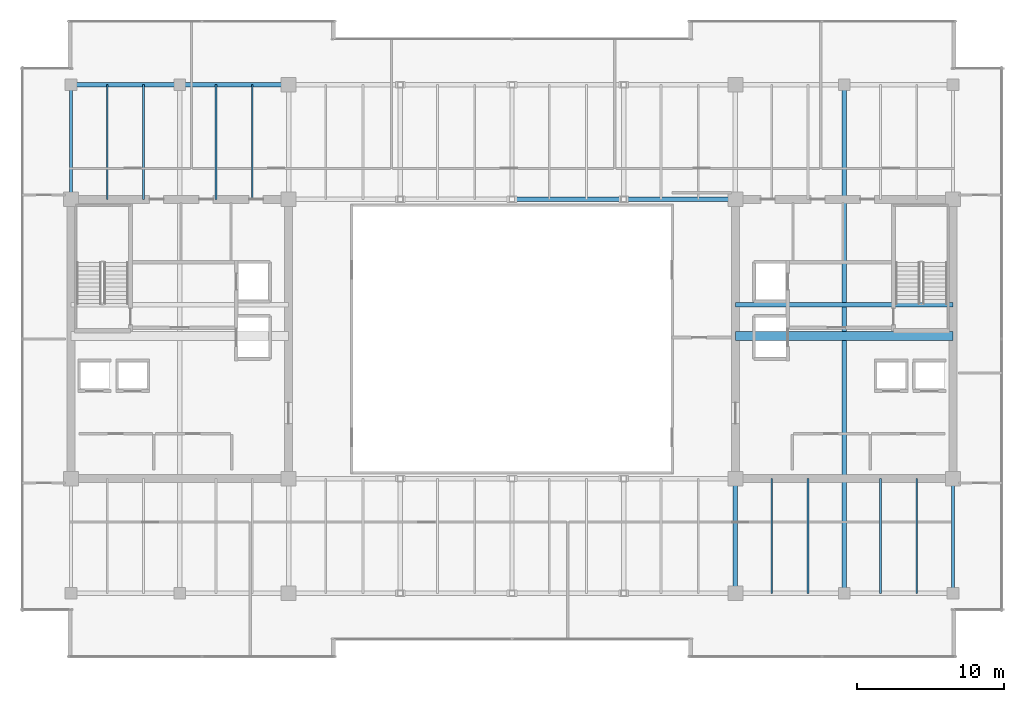
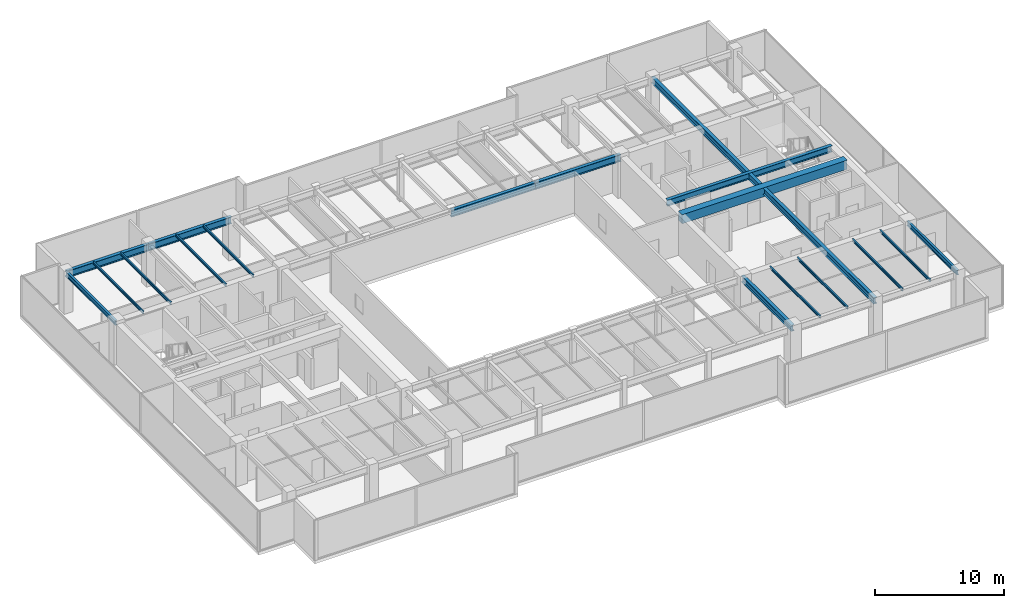
# One storey, part 14 of 33: 18 beams.
"""IFC4 building model written with IfcOpenShell, lengths in metres."""

from ifc_helpers import new_model, si_unit, direction, frame, origin, origin_2d, place, context, subcontext, project, spatial, rectangle, i_section, extrude, source, transform, mapped, material, material_profile, profile_set, type_object, type_shapes, element, save


model = new_model("IFC4")

# Units and contexts
model_context = context("Model", 3, precision=1e-05, world=origin(), true_north=direction((0.0, 1.0)))
body_context = subcontext(model_context, "Body", "Model", "MODEL_VIEW")
ifc_project = project(units=[si_unit("LENGTHUNIT", "METRE"), si_unit("AREAUNIT", "SQUARE_METRE"), si_unit("VOLUMEUNIT", "CUBIC_METRE"), si_unit("PLANEANGLEUNIT", "RADIAN"), si_unit("MASSUNIT", "GRAM", prefix="KILO")], contexts=[model_context])

# Site, building, storey
site_placement = place(None, origin())
site = spatial("IfcSite", under=ifc_project, at=site_placement, CompositionType="ELEMENT")
building_placement = place(site_placement, origin())
building = spatial("IfcBuilding", under=site, at=building_placement, Name="Haelvirn Gate Laboratories", CompositionType="ELEMENT")
storey_placement = place(building_placement, frame((0.0, 0.0, 287.5)))
storey = spatial("IfcBuildingStorey", under=building, at=storey_placement, Name="L69", CompositionType="ELEMENT", Elevation=287.5)

# Beams
ifc_material_1 = material(Name="Steel SM355", Category="steel")
ifc_material_profile_1 = material_profile(ifc_material_1, i_section(OverallWidth=0.300048828125, OverallDepth=0.587890625, WebThickness=0.011962890625, FlangeThickness=0.02001953125, at=origin_2d()), Name="H-588x300x12x20")
ifc_profile_set_1 = profile_set([ifc_material_profile_1], Name="Steel SM355")
beam_type_1 = type_object("IfcBeamType", Name="BM-G-588", PredefinedType="BEAM", material=ifc_profile_set_1)
shared_shape_1 = source(origin(), body_context, "Body", "SweptSolid", [
    extrude(i_section(OverallWidth=0.300048828125, OverallDepth=0.587890625, WebThickness=0.011962890625, FlangeThickness=0.02001953125, at=origin_2d()), origin(), (0.0, 0.0, 1.0), 14.7998046875),
])
beam_1_placement = place(storey_placement, frame((52.60009765625, 26.6201171875, 3.506103515625), z_axis=(1.0, 0.0, 0.0), x_axis=(0.0, 1.0, 0.0)))
element("IfcBeam", 1, at=beam_1_placement, inside=storey, type_object=beam_type_1, Name="L69 Stair ST2 Landing Header", PredefinedType="BEAM", context=body_context, shape_type="MappedRepresentation", body=[
    mapped(shared_shape_1, transform((0.0, 0.0, 0.0), scale=1.0)),
])
shared_shape_2 = source(origin(), body_context, "Body", "SweptSolid", [
    extrude(i_section(OverallWidth=0.300048828125, OverallDepth=0.587890625, WebThickness=0.011962890625, FlangeThickness=0.02001953125, at=origin_2d()), origin(), (0.0, 0.0, 1.0), 34.60009765625),
])
beam_2_placement = place(storey_placement, frame((60.0, 7.0, 3.506103515625), z_axis=(0.0, 1.0, 0.0), x_axis=(-1.0, 0.0, 0.0)))
element("IfcBeam", 2, at=beam_2_placement, inside=storey, type_object=beam_type_1, Name="L69 Frame Girder X60.0 (7.0-41.6)", PredefinedType="BEAM", context=body_context, shape_type="MappedRepresentation", body=[
    mapped(shared_shape_2, transform((0.0, 0.0, 0.0), scale=1.0)),
])
shared_shape_3 = source(origin(), body_context, "Body", "SweptSolid", [
    extrude(i_section(OverallWidth=0.300048828125, OverallDepth=0.587890625, WebThickness=0.011962890625, FlangeThickness=0.02001953125, at=origin_2d()), origin(), (0.0, 0.0, 1.0), 7.800048828125),
])
type_shapes(beam_type_1, [shared_shape_1, shared_shape_2, shared_shape_3])
beam_3_placement = place(storey_placement, frame((52.60009765625, 7.0, 3.506103515625), z_axis=(0.0, 1.0, 0.0), x_axis=(-1.0, 0.0, 0.0)))
element("IfcBeam", 3, at=beam_3_placement, inside=storey, type_object=beam_type_1, Name="L69 Frame Girder X52.6 (7.0-14.8)", PredefinedType="BEAM", context=body_context, shape_type="MappedRepresentation", body=[
    mapped(shared_shape_3, transform((0.0, 0.0, 0.0), scale=1.0)),
])
ifc_material_2 = material(Name="Concrete C50/60", Category="concrete")
ifc_material_profile_2 = material_profile(ifc_material_2, rectangle(XDim=0.60009765625, YDim=0.85009765625, at=origin_2d()), Name="RCB-600x850")
ifc_profile_set_2 = profile_set([ifc_material_profile_2], Name="Concrete C50/60")
beam_type_2 = type_object("IfcBeamType", Name="BM-RCB-850", PredefinedType="LINTEL", material=ifc_profile_set_2)
shared_shape_4 = source(origin(), body_context, "Body", "SweptSolid", [
    extrude(rectangle(XDim=0.60009765625, YDim=0.85009765625, at=origin_2d()), origin(), (0.0, 0.0, 1.0), 14.7998046875),
])
type_shapes(beam_type_2, [shared_shape_4])
beam_4_placement = place(storey_placement, frame((52.60009765625, 24.5, 3.375), z_axis=(1.0, 0.0, 0.0), x_axis=(0.0, 1.0, 0.0)))
element("IfcBeam", 4, at=beam_4_placement, inside=storey, type_object=beam_type_2, Name="L69 East Core Coupling Beam", PredefinedType="LINTEL", context=body_context, shape_type="MappedRepresentation", body=[
    mapped(shared_shape_4, transform((0.0, 0.0, 0.0), scale=1.0)),
])
ifc_material_profile_3 = material_profile(ifc_material_1, i_section(OverallWidth=0.300048828125, OverallDepth=0.64990234375, WebThickness=0.012939453125, FlangeThickness=0.02197265625, at=origin_2d()), Name="H-650x300x13x22")
ifc_profile_set_3 = profile_set([ifc_material_profile_3], Name="Steel SM355")
beam_type_3 = type_object("IfcBeamType", Name="BM-G-650", PredefinedType="BEAM", material=ifc_profile_set_3)
shared_shape_5 = source(origin(), body_context, "Body", "SweptSolid", [
    extrude(i_section(OverallWidth=0.300048828125, OverallDepth=0.64990234375, WebThickness=0.012939453125, FlangeThickness=0.02197265625, at=origin_2d()), origin(), (0.0, 0.0, 1.0), 7.400146484375),
])
beam_5_placement = place(storey_placement, frame((7.39990234375, 41.60009765625, 3.47509765625), z_axis=(1.0, 0.0, 0.0), x_axis=(0.0, 1.0, 0.0)))
element("IfcBeam", 5, at=beam_5_placement, inside=storey, type_object=beam_type_3, Name="L69 Primary Girder Y41.6 (7.4-14.8)", PredefinedType="BEAM", context=body_context, shape_type="MappedRepresentation", body=[
    mapped(shared_shape_5, transform((0.0, 0.0, 0.0), scale=1.0)),
])
shared_shape_6 = source(origin(), body_context, "Body", "SweptSolid", [
    extrude(i_section(OverallWidth=0.300048828125, OverallDepth=0.64990234375, WebThickness=0.012939453125, FlangeThickness=0.02197265625, at=origin_2d()), origin(), (0.0, 0.0, 1.0), 7.39990234375),
])
beam_6_placement = place(storey_placement, frame((14.800048828125, 41.60009765625, 3.47509765625), z_axis=(1.0, 0.0, 0.0), x_axis=(0.0, 1.0, 0.0)))
element("IfcBeam", 6, at=beam_6_placement, inside=storey, type_object=beam_type_3, Name="L69 Primary Girder Y41.6 (14.8-22.2)", PredefinedType="BEAM", context=body_context, shape_type="MappedRepresentation", body=[
    mapped(shared_shape_6, transform((0.0, 0.0, 0.0), scale=1.0)),
])
shared_shape_7 = source(origin(), body_context, "Body", "SweptSolid", [
    extrude(i_section(OverallWidth=0.300048828125, OverallDepth=0.64990234375, WebThickness=0.012939453125, FlangeThickness=0.02197265625, at=origin_2d()), origin(), (0.0, 0.0, 1.0), 7.60009765625),
])
type_shapes(beam_type_3, [shared_shape_5, shared_shape_6, shared_shape_7])
for number, where, z_axis, x_axis, name in (
    (7, (37.39990234375, 33.800048828125, 3.47509765625), (1.0, 0.0, 0.0), (0.0, 1.0, 0.0), "L69 Primary Girder Y33.8 (37.4-45.0)"),
    (8, (45.0, 33.800048828125, 3.47509765625), (1.0, 0.0, 0.0), (0.0, 1.0, 0.0), "L69 Primary Girder Y33.8 (45.0-52.6)"),
):
    element("IfcBeam", number, at=place(storey_placement, frame(where, z_axis=z_axis, x_axis=x_axis)), inside=storey, type_object=beam_type_3, Name=name, PredefinedType="BEAM", context=body_context, shape_type="MappedRepresentation", body=[
        mapped(shared_shape_7, transform((0.0, 0.0, 0.0), scale=1.0)),
    ])
ifc_material_profile_4 = material_profile(ifc_material_1, i_section(OverallWidth=0.199951171875, OverallDepth=0.449951171875, WebThickness=0.009033203125, FlangeThickness=0.013916015625, at=origin_2d()), Name="H-450x200x9x14")
ifc_profile_set_4 = profile_set([ifc_material_profile_4], Name="Steel SM355")
beam_type_4 = type_object("IfcBeamType", Name="BM-SP-450", PredefinedType="SPANDREL", material=ifc_profile_set_4)
shared_shape_8 = source(origin(), body_context, "Body", "SweptSolid", [
    extrude(i_section(OverallWidth=0.199951171875, OverallDepth=0.449951171875, WebThickness=0.009033203125, FlangeThickness=0.013916015625, at=origin_2d()), origin(), (0.0, 0.0, 1.0), 7.800048828125),
])
type_shapes(beam_type_4, [shared_shape_8])
for number, where, z_axis, x_axis, name in (
    (9, (7.39990234375, 33.800048828125, 3.574951171875), (0.0, 1.0, 0.0), (-1.0, 0.0, 0.0), "L69 Perimeter Spandrel X7.4 (33.8-41.6)"),
    (10, (67.39990234375, 7.0, 3.574951171875), (0.0, 1.0, 0.0), (-1.0, 0.0, 0.0), "L69 Perimeter Spandrel X67.4 (7.0-14.8)"),
):
    element("IfcBeam", number, at=place(storey_placement, frame(where, z_axis=z_axis, x_axis=x_axis)), inside=storey, type_object=beam_type_4, Name=name, PredefinedType="SPANDREL", context=body_context, shape_type="MappedRepresentation", body=[
        mapped(shared_shape_8, transform((0.0, 0.0, 0.0), scale=1.0)),
    ])
ifc_material_profile_5 = material_profile(ifc_material_1, i_section(OverallWidth=0.125, OverallDepth=0.25, WebThickness=0.006103515625, FlangeThickness=0.009033203125, at=origin_2d()), Name="H-250x125x6x9")
ifc_profile_set_5 = profile_set([ifc_material_profile_5], Name="Steel SM355")
beam_type_5 = type_object("IfcBeamType", Name="BM-J-250", PredefinedType="JOIST", material=ifc_profile_set_5)
shared_shape_9 = source(origin(), body_context, "Body", "SweptSolid", [
    extrude(i_section(OverallWidth=0.125, OverallDepth=0.25, WebThickness=0.006103515625, FlangeThickness=0.009033203125, at=origin_2d()), origin(), (0.0, 0.0, 1.0), 7.800048828125),
])
type_shapes(beam_type_5, [shared_shape_9])
for number, where, z_axis, x_axis, name in (
    (11, (9.8701171875, 33.800048828125, 3.675048828125), (0.0, 1.0, 0.0), (-1.0, 0.0, 0.0), "L69 Composite Lab Joist North X9.87"),
    (12, (12.330078125, 33.800048828125, 3.675048828125), (0.0, 1.0, 0.0), (-1.0, 0.0, 0.0), "L69 Composite Lab Joist North X12.33"),
    (13, (17.27001953125, 33.800048828125, 3.675048828125), (0.0, 1.0, 0.0), (-1.0, 0.0, 0.0), "L69 Composite Lab Joist North X17.27"),
    (14, (19.72998046875, 33.800048828125, 3.675048828125), (0.0, 1.0, 0.0), (-1.0, 0.0, 0.0), "L69 Composite Lab Joist North X19.73"),
    (15, (55.070068359375, 7.0, 3.675048828125), (0.0, 1.0, 0.0), (-1.0, 0.0, 0.0), "L69 Composite Lab Joist South X55.07"),
    (16, (57.530029296875, 7.0, 3.675048828125), (0.0, 1.0, 0.0), (-1.0, 0.0, 0.0), "L69 Composite Lab Joist South X57.53"),
    (17, (62.469970703125, 7.0, 3.675048828125), (0.0, 1.0, 0.0), (-1.0, 0.0, 0.0), "L69 Composite Lab Joist South X62.47"),
    (18, (64.929931640625, 7.0, 3.675048828125), (0.0, 1.0, 0.0), (-1.0, 0.0, 0.0), "L69 Composite Lab Joist South X64.93"),
):
    element("IfcBeam", number, at=place(storey_placement, frame(where, z_axis=z_axis, x_axis=x_axis)), inside=storey, type_object=beam_type_5, Name=name, PredefinedType="JOIST", context=body_context, shape_type="MappedRepresentation", body=[
        mapped(shared_shape_9, transform((0.0, 0.0, 0.0), scale=1.0)),
    ])

save(model, "model.ifc")
